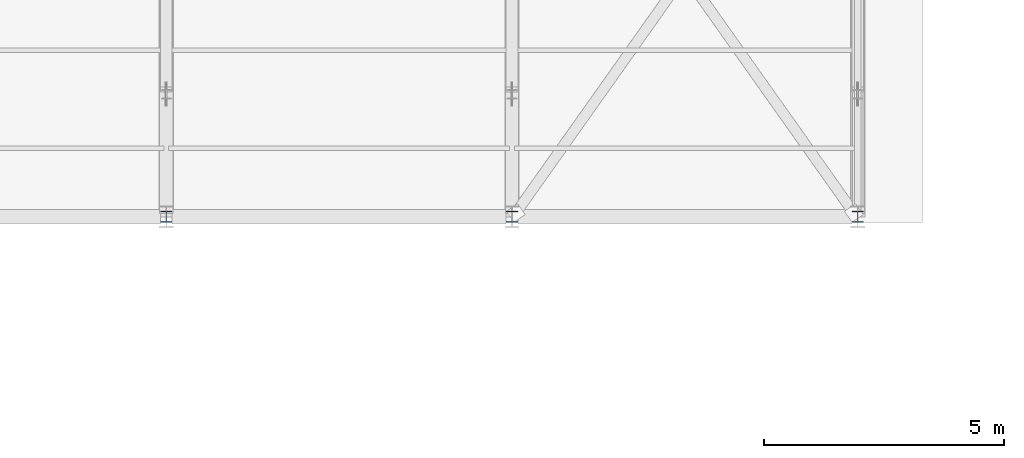
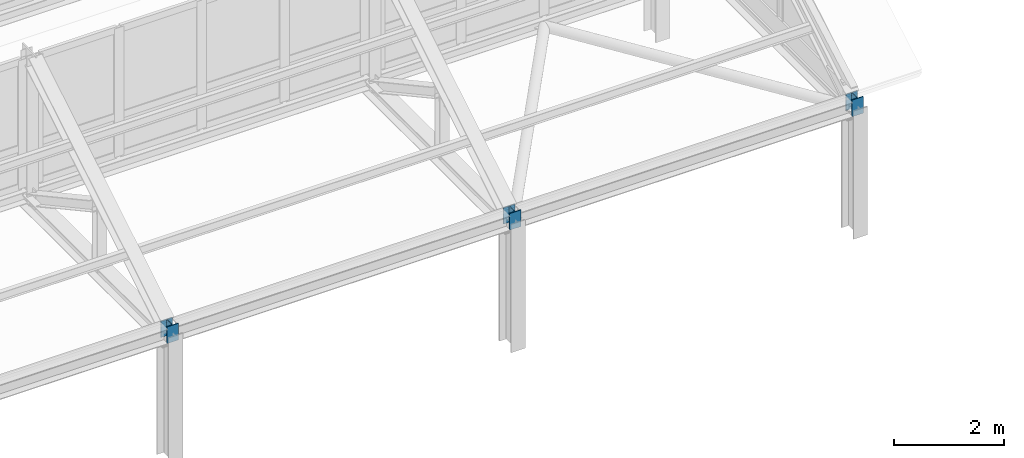
# One storey, part 94 of 157: 3 members.
"""IFC4 building model written with IfcOpenShell, lengths in metres."""

from ifc_helpers import new_model, si_unit, direction, frame, origin, origin_2d, place, context, subcontext, project, spatial, i_section, extrude, material, material_profile, profile_set, type_object, element, save


model = new_model("IFC4")

# Units and contexts
model_context = context("Model", 3, precision=1e-05, world=origin(), true_north=direction((0.0, 1.0)))
body_context = subcontext(model_context, "Body", "Model", "MODEL_VIEW")
ifc_project = project(units=[si_unit("LENGTHUNIT", "METRE"), si_unit("AREAUNIT", "SQUARE_METRE"), si_unit("VOLUMEUNIT", "CUBIC_METRE"), si_unit("PLANEANGLEUNIT", "RADIAN"), si_unit("MASSUNIT", "GRAM", prefix="KILO")], contexts=[model_context])

# Site, building, storey
site_placement = place(None, origin())
site = spatial("IfcSite", under=ifc_project, at=site_placement, CompositionType="ELEMENT")
building_placement = place(site_placement, origin())
building = spatial("IfcBuilding", under=site, at=building_placement, Name="Suanplinth Sawtooth Commons", CompositionType="ELEMENT")
storey_placement = place(building_placement, frame((0.0, 0.0, 9.0)))
storey = spatial("IfcBuildingStorey", under=building, at=storey_placement, Name="L02", CompositionType="ELEMENT", Elevation=9.0)

# Members
ifc_material = material(Name="Steel S355JR", Category="steel")
ifc_material_profile = material_profile(ifc_material, i_section(OverallWidth=0.239990234375, OverallDepth=0.239990234375, WebThickness=0.010009765625, FlangeThickness=0.01708984375, at=origin_2d()), Name="HEB 240")
ifc_profile_set = profile_set([ifc_material_profile], Name="Steel S355JR")
member_type = type_object("IfcMemberType", Name="M-05", PredefinedType="POST", material=ifc_profile_set)
for number, where, z_axis, x_axis, name in (
    (1, (100.800048828125, 50.39990234375, 2.64990234375), (0.0, 0.0, 1.0), (1.0, 0.0, 0.0), "Sawtooth Truss T6 South Eave Post"),
    (2, (108.0, 50.39990234375, 2.64990234375), (0.0, 0.0, 1.0), (1.0, 0.0, 0.0), "Sawtooth Truss T7 South Eave Post"),
    (3, (115.199951171875, 50.39990234375, 2.64990234375), (0.0, 0.0, 1.0), (1.0, 0.0, 0.0), "Sawtooth Truss T8 South Eave Post"),
):
    element("IfcMember", number, at=place(storey_placement, frame(where, z_axis=z_axis, x_axis=x_axis)), inside=storey, type_object=member_type, Name=name, PredefinedType="POST", context=body_context, shape_type="SweptSolid", body=[
        extrude(i_section(OverallWidth=0.239990234375, OverallDepth=0.239990234375, WebThickness=0.010009765625, FlangeThickness=0.01708984375, at=origin_2d()), origin(), (0.0, 0.0, 1.0), 0.3701171875),
    ])

save(model, "model.ifc")
